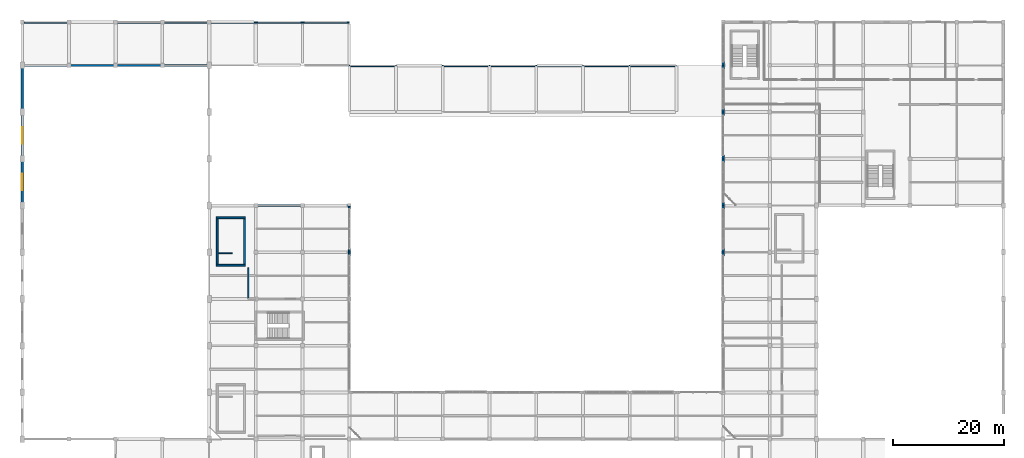
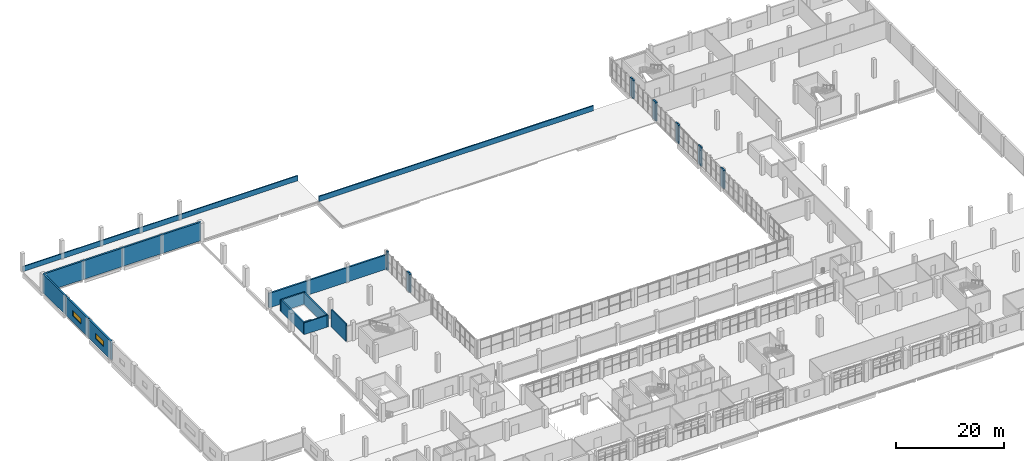
# One storey, part 51 of 59: 29 walls, 2 windows, 2 openings.
"""IFC4 building model written with IfcOpenShell, lengths in metres."""

from ifc_helpers import new_model, si_unit, derived_unit, direction, frame, frame_2d, origin, place, context, subcontext, project, spatial, rectangle, extrude, material, layer, layer_set, type_object, element, fill, save


model = new_model("IFC4")

# Units and contexts
model_context = context("Model", 3, precision=1e-05, world=origin(), true_north=direction((0.0, 1.0)))
body_context = subcontext(model_context, "Body", "Model", "MODEL_VIEW")
ifc_project = project(units=[si_unit("LENGTHUNIT", "METRE"), si_unit("AREAUNIT", "SQUARE_METRE"), si_unit("VOLUMEUNIT", "CUBIC_METRE"), si_unit("PLANEANGLEUNIT", "RADIAN"), si_unit("MASSUNIT", "GRAM", prefix="KILO"), derived_unit("THERMALTRANSMITTANCEUNIT", [(si_unit("POWERUNIT", "WATT"), 1), (si_unit("LENGTHUNIT", "METRE"), -2), (si_unit("THERMODYNAMICTEMPERATUREUNIT", "KELVIN"), -1)])], contexts=[model_context])

# Site, building, storey
site_placement = place(None, origin())
site = spatial("IfcSite", under=ifc_project, at=site_placement, CompositionType="ELEMENT")
building_placement = place(site_placement, origin())
building = spatial("IfcBuilding", under=site, at=building_placement, Name="Barrovel Congress Hotel", CompositionType="ELEMENT")
storey_placement = place(building_placement, frame((0.0, 0.0, 9.89990234375)))
storey = spatial("IfcBuildingStorey", under=building, at=storey_placement, Name="L02", CompositionType="ELEMENT", Elevation=9.89990234375)

# Walls
ifc_material_1 = material(Name="Fired Clay Brick Masonry", Category="masonry")
ifc_layer_1 = layer(ifc_material_1, 0.340087890625)
ifc_layer_set_1 = layer_set([ifc_layer_1], Name="Fired Clay Brick Masonry")
wall_type_1 = type_object("IfcWallType", Name="EW-BRK340", PredefinedType="STANDARD", material=ifc_layer_set_1)
wall_1_placement = place(storey_placement, frame((58.800048828125, 70.800048828125, 0.0), z_axis=(0.0, 0.0, 1.0), x_axis=(0.0, 1.0, 0.0)))
element("IfcWall", 1, at=wall_1_placement, inside=storey, type_object=wall_type_1, Name="EW:L02:CWJ-B:63.0", PredefinedType="STANDARD", context=body_context, shape_type="SweptSolid", body=[
    extrude(rectangle(XDim=0.599853515625, YDim=0.340087890625, at=frame_2d((0.2998046875, 0.0))), origin(), (0.0, 0.0, 1.0), 4.2001953125),
])
wall_2_placement = place(storey_placement, frame((58.800048828125, 71.39990234375, 0.0), z_axis=(0.0, 0.0, 1.0), x_axis=(0.0, 1.0, 0.0)))
element("IfcWall", 2, at=wall_2_placement, inside=storey, type_object=wall_type_1, Name="EW:L02:CWJ-A:71.4", PredefinedType="STANDARD", context=body_context, shape_type="SweptSolid", body=[
    extrude(rectangle(XDim=0.60009765625, YDim=0.340087890625, at=frame_2d((0.300048828125, 0.0))), origin(), (0.0, 0.0, 1.0), 4.2001953125),
])
wall_3_placement = place(storey_placement, frame((58.800048828125, 79.199951171875, 0.0), z_axis=(0.0, 0.0, 1.0), x_axis=(0.0, 1.0, 0.0)))
element("IfcWall", 3, at=wall_3_placement, inside=storey, type_object=wall_type_1, Name="EW:L02:CWJ-B:71.4", PredefinedType="STANDARD", context=body_context, shape_type="SweptSolid", body=[
    extrude(rectangle(XDim=0.429931640625, YDim=0.340087890625, at=frame_2d((0.21484375, 0.0))), origin(), (0.0, 0.0, 1.0), 4.2001953125),
])
wall_4_placement = place(storey_placement, frame((58.800048828125, 79.800048828125, 0.0), z_axis=(0.0, 0.0, 1.0), x_axis=(-1.0, 0.0, 0.0)))
element("IfcWall", 4, at=wall_4_placement, inside=storey, type_object=wall_type_1, Name="EW:L02:FOYN", PredefinedType="STANDARD", context=body_context, shape_type="SweptSolid", body=[
    extrude(rectangle(XDim=25.199951171875, YDim=0.340087890625, at=frame_2d((12.60009765625, 0.0))), origin(), (0.0, 0.0, 1.0), 3.260009765625),
])
wall_5_placement = place(storey_placement, frame((126.0, 71.39990234375, 0.0), z_axis=(0.0, 0.0, 1.0), x_axis=(0.0, -1.0, 0.0)))
element("IfcWall", 5, at=wall_5_placement, inside=storey, type_object=wall_type_1, Name="EW:L02:CEJ-B:63.0", PredefinedType="STANDARD", context=body_context, shape_type="SweptSolid", body=[
    extrude(rectangle(XDim=0.599853515625, YDim=0.340087890625, at=frame_2d((0.2998046875, 0.0))), origin(), (0.0, 0.0, 1.0), 4.2001953125),
])
for number, where, z_axis, x_axis, name in (
    (6, (126.0, 79.800048828125, 0.0), (0.0, 0.0, 1.0), (0.0, -1.0, 0.0), "EW:L02:CEJ-B:71.4"),
    (7, (126.0, 72.0, 0.0), (0.0, 0.0, 1.0), (0.0, -1.0, 0.0), "EW:L02:CEJ-A:71.4"),
):
    element("IfcWall", number, at=place(storey_placement, frame(where, z_axis=z_axis, x_axis=x_axis)), inside=storey, type_object=wall_type_1, Name=name, PredefinedType="STANDARD", context=body_context, shape_type="SweptSolid", body=[
        extrude(rectangle(XDim=0.60009765625, YDim=0.340087890625, at=frame_2d((0.300048828125, 0.0))), origin(), (0.0, 0.0, 1.0), 4.2001953125),
    ])
for number, where, z_axis, x_axis, name in (
    (8, (126.0, 88.199951171875, 0.0), (0.0, 0.0, 1.0), (0.0, -1.0, 0.0), "EW:L02:CEJ-B:79.8"),
    (9, (126.0, 80.39990234375, 0.0), (0.0, 0.0, 1.0), (0.0, -1.0, 0.0), "EW:L02:CEJ-A:79.8"),
):
    element("IfcWall", number, at=place(storey_placement, frame(where, z_axis=z_axis, x_axis=x_axis)), inside=storey, type_object=wall_type_1, Name=name, PredefinedType="STANDARD", context=body_context, shape_type="SweptSolid", body=[
        extrude(rectangle(XDim=0.599853515625, YDim=0.340087890625, at=frame_2d((0.2998046875, 0.0))), origin(), (0.0, 0.0, 1.0), 4.2001953125),
    ])
for number, where, z_axis, x_axis, name in (
    (10, (126.0, 96.60009765625, 0.0), (0.0, 0.0, 1.0), (0.0, -1.0, 0.0), "EW:L02:CEJ-B:88.2"),
    (11, (126.0, 88.800048828125, 0.0), (0.0, 0.0, 1.0), (0.0, -1.0, 0.0), "EW:L02:CEJ-A:88.2"),
    (12, (126.0, 105.0, 0.0), (0.0, 0.0, 1.0), (0.0, -1.0, 0.0), "EW:L02:CEJ-B:96.6"),
):
    element("IfcWall", number, at=place(storey_placement, frame(where, z_axis=z_axis, x_axis=x_axis)), inside=storey, type_object=wall_type_1, Name=name, PredefinedType="STANDARD", context=body_context, shape_type="SweptSolid", body=[
        extrude(rectangle(XDim=0.60009765625, YDim=0.340087890625, at=frame_2d((0.300048828125, 0.0))), origin(), (0.0, 0.0, 1.0), 4.2001953125),
    ])
wall_6_placement = place(storey_placement, frame((126.0, 97.199951171875, 0.0), z_axis=(0.0, 0.0, 1.0), x_axis=(0.0, -1.0, 0.0)))
element("IfcWall", 13, at=wall_6_placement, inside=storey, type_object=wall_type_1, Name="EW:L02:CEJ-A:96.6", PredefinedType="STANDARD", context=body_context, shape_type="SweptSolid", body=[
    extrude(rectangle(XDim=0.599853515625, YDim=0.340087890625, at=frame_2d((0.2998046875, 0.0))), origin(), (0.0, 0.0, 1.0), 4.2001953125),
])
wall_7_placement = place(storey_placement, frame((126.0, 105.60009765625, 0.0), z_axis=(0.0, 0.0, 1.0), x_axis=(0.0, -1.0, 0.0)))
element("IfcWall", 14, at=wall_7_placement, inside=storey, type_object=wall_type_1, Name="EW:L02:CEJ-A:105.0", PredefinedType="STANDARD", context=body_context, shape_type="SweptSolid", body=[
    extrude(rectangle(XDim=0.60009765625, YDim=0.340087890625, at=frame_2d((0.300048828125, 0.0))), origin(), (0.0, 0.0, 1.0), 4.2001953125),
])
ifc_layer_2 = layer(ifc_material_1, 0.3798828125)
ifc_layer_set_2 = layer_set([ifc_layer_2], Name="Fired Clay Brick Masonry")
wall_type_2 = type_object("IfcWallType", Name="EW-BRK380", PredefinedType="STANDARD", material=ifc_layer_set_2)
wall_8_placement = place(storey_placement, frame((33.60009765625, 105.0, 0.0), z_axis=(0.0, 0.0, 1.0), x_axis=(-1.0, 0.0, 0.0)))
element("IfcWall", 15, at=wall_8_placement, inside=storey, type_object=wall_type_2, Name="EW:L02:V1N:3", PredefinedType="STANDARD", context=body_context, shape_type="SweptSolid", body=[
    extrude(rectangle(XDim=8.400146484375, YDim=0.3798828125, at=frame_2d((4.2001953125, 0.0))), origin(), (0.0, 0.0, 1.0), 4.2001953125),
])
wall_9_placement = place(storey_placement, frame((25.199951171875, 105.0, 0.0), z_axis=(0.0, 0.0, 1.0), x_axis=(-1.0, 0.0, 0.0)))
element("IfcWall", 16, at=wall_9_placement, inside=storey, type_object=wall_type_2, Name="EW:L02:V1N:2", PredefinedType="STANDARD", context=body_context, shape_type="SweptSolid", body=[
    extrude(rectangle(XDim=8.39990234375, YDim=0.3798828125, at=frame_2d((4.199951171875, 0.0))), origin(), (0.0, 0.0, 1.0), 4.2001953125),
])
wall_10_placement = place(storey_placement, frame((16.800048828125, 105.0, 0.0), z_axis=(0.0, 0.0, 1.0), x_axis=(-1.0, 0.0, 0.0)))
element("IfcWall", 17, at=wall_10_placement, inside=storey, type_object=wall_type_2, Name="EW:L02:V1N:1", PredefinedType="STANDARD", context=body_context, shape_type="SweptSolid", body=[
    extrude(rectangle(XDim=8.400146484375, YDim=0.3798828125, at=frame_2d((4.2001953125, 0.0))), origin(), (0.0, 0.0, 1.0), 4.2001953125),
])
for number, where, z_axis, x_axis, name in (
    (18, (8.39990234375, 105.0, 0.0), (0.0, 0.0, 1.0), (-1.0, 0.0, 0.0), "EW:L02:V1N:0"),
    (19, (0.0, 105.0, 0.0), (0.0, 0.0, 1.0), (0.0, -1.0, 0.0), "EW:L02:V1W:96.6"),
):
    element("IfcWall", number, at=place(storey_placement, frame(where, z_axis=z_axis, x_axis=x_axis)), inside=storey, type_object=wall_type_2, Name=name, PredefinedType="STANDARD", context=body_context, shape_type="SweptSolid", body=[
        extrude(rectangle(XDim=8.39990234375, YDim=0.3798828125, at=frame_2d((4.199951171875, 0.0))), origin(), (0.0, 0.0, 1.0), 4.2001953125),
    ])

# Wall, opening, window
wall_11_placement = place(storey_placement, frame((0.0, 96.60009765625, 0.0), z_axis=(0.0, 0.0, 1.0), x_axis=(0.0, -1.0, 0.0)))
wall_11 = element("IfcWall", 20, at=wall_11_placement, inside=storey, type_object=wall_type_2, Name="EW:L02:V1W:88.2", PredefinedType="STANDARD", context=body_context, shape_type="SweptSolid", body=[
    extrude(rectangle(XDim=8.400146484375, YDim=0.3798828125, at=frame_2d((4.2001953125, 0.0))), origin(), (0.0, 0.0, 1.0), 4.2001953125),
])
opening_1_placement = place(wall_11_placement, frame((2.699951171875, 0.0, 1.39990234375)))
opening_1 = element("IfcOpeningElement", 21, at=opening_1_placement, cuts=wall_11, Name="Opening WN-16", PredefinedType="OPENING", context=body_context, shape_type="SweptSolid", body=[
    extrude(rectangle(XDim=3.0, YDim=1.199951171875, at=frame_2d((1.5, 0.60009765625))), frame((0.0, 0.199951171875, 0.0), z_axis=(0.0, -1.0, 0.0), x_axis=(1.0, 0.0, 0.0)), (0.0, 0.0, 1.0), 0.39990234375),
])
ifc_material_2 = material(Name="Double Low-E Insulated Glazing", Category="glass")
window_type = type_object("IfcWindowType", Name="WIN-WN-16", PartitioningType="SINGLE_PANEL", PredefinedType="WINDOW", material=ifc_material_2)
window_1_placement = place(opening_1_placement, origin())
window_1 = element("IfcWindow", 22, at=window_1_placement, inside=storey, type_object=window_type, Name="WIN:L02:NAVEW:88.2", OverallHeight=1.199951171875, OverallWidth=3.0, PartitioningType="SINGLE_PANEL", PredefinedType="WINDOW", context=body_context, shape_type="SweptSolid", body=[
    extrude(rectangle(XDim=3.0, YDim=1.199951171875, at=frame_2d((1.5, 0.60009765625))), frame((0.0, 0.030029296875, 0.0), z_axis=(0.0, -1.0, 0.0), x_axis=(1.0, 0.0, 0.0)), (0.0, 0.0, 1.0), 0.06005859375),
])
fill(opening_1, window_1)

wall_12_placement = place(storey_placement, frame((0.0, 88.199951171875, 0.0), z_axis=(0.0, 0.0, 1.0), x_axis=(0.0, -1.0, 0.0)))
wall_12 = element("IfcWall", 23, at=wall_12_placement, inside=storey, type_object=wall_type_2, Name="EW:L02:V1W:79.8", PredefinedType="STANDARD", context=body_context, shape_type="SweptSolid", body=[
    extrude(rectangle(XDim=8.39990234375, YDim=0.3798828125, at=frame_2d((4.199951171875, 0.0))), origin(), (0.0, 0.0, 1.0), 4.2001953125),
])
opening_2_placement = place(wall_12_placement, frame((2.699951171875, 0.0, 1.39990234375)))
opening_2 = element("IfcOpeningElement", 24, at=opening_2_placement, cuts=wall_12, Name="Opening WN-16", PredefinedType="OPENING", context=body_context, shape_type="SweptSolid", body=[
    extrude(rectangle(XDim=3.0, YDim=1.199951171875, at=frame_2d((1.5, 0.60009765625))), frame((0.0, 0.199951171875, 0.0), z_axis=(0.0, -1.0, 0.0), x_axis=(1.0, 0.0, 0.0)), (0.0, 0.0, 1.0), 0.39990234375),
])
window_2_placement = place(opening_2_placement, origin())
window_2 = element("IfcWindow", 25, at=window_2_placement, inside=storey, type_object=window_type, Name="WIN:L02:NAVEW:79.8", OverallHeight=1.199951171875, OverallWidth=3.0, PartitioningType="SINGLE_PANEL", PredefinedType="WINDOW", context=body_context, shape_type="SweptSolid", body=[
    extrude(rectangle(XDim=3.0, YDim=1.199951171875, at=frame_2d((1.5, 0.60009765625))), frame((0.0, 0.030029296875, 0.0), z_axis=(0.0, -1.0, 0.0), x_axis=(1.0, 0.0, 0.0)), (0.0, 0.0, 1.0), 0.06005859375),
])
fill(opening_2, window_2)

# Walls
ifc_layer_3 = layer(ifc_material_1, 0.219970703125)
ifc_layer_set_3 = layer_set([ifc_layer_3], Name="Fired Clay Brick Masonry")
wall_type_3 = type_object("IfcWallType", Name="EW-PAR220", PredefinedType="PARAPET", material=ifc_layer_set_3)
wall_13_placement = place(storey_placement, frame((0.0, 112.699951171875, 0.0), z_axis=(0.0, 0.0, 1.0), x_axis=(1.0, 0.0, 0.0)))
element("IfcWall", 26, at=wall_13_placement, inside=storey, type_object=wall_type_3, Name="PAR:L02:01", PredefinedType="PARAPET", context=body_context, shape_type="SweptSolid", body=[
    extrude(rectangle(XDim=58.800048828125, YDim=0.219970703125, at=frame_2d((29.39990234375, 0.0))), origin(), (0.0, 0.0, 1.0), 1.150146484375),
])
wall_14_placement = place(storey_placement, frame((35.219970703125, 71.219970703125, 0.0), z_axis=(0.0, 0.0, 1.0), x_axis=(1.0, 0.0, 0.0)))
element("IfcWall", 27, at=wall_14_placement, inside=storey, type_object=wall_type_3, Name="STAIR:XS-07:TOP-GR", PredefinedType="PARAPET", context=body_context, shape_type="SweptSolid", body=[
    extrude(rectangle(XDim=2.56005859375, YDim=0.219970703125, at=frame_2d((1.280029296875, 0.0))), origin(), (0.0, 0.0, 1.0), 1.14013671875),
])
ifc_layer_4 = layer(ifc_material_1, 0.260009765625)
ifc_layer_set_4 = layer_set([ifc_layer_4], Name="Fired Clay Brick Masonry")
wall_type_4 = type_object("IfcWallType", Name="EW-PAR260", PredefinedType="PARAPET", material=ifc_layer_set_4)
wall_15_placement = place(storey_placement, frame((58.800048828125, 104.89990234375, 0.0), z_axis=(0.0, 0.0, 1.0), x_axis=(1.0, 0.0, 0.0)))
element("IfcWall", 28, at=wall_15_placement, inside=storey, type_object=wall_type_4, Name="PAR:L02:02", PredefinedType="PARAPET", context=body_context, shape_type="SweptSolid", body=[
    extrude(rectangle(XDim=58.800048828125, YDim=0.260009765625, at=frame_2d((29.39990234375, 0.0))), origin(), (0.0, 0.0, 1.0), 1.150146484375),
])
ifc_layer_5 = layer(ifc_material_1, 0.239990234375)
ifc_layer_set_5 = layer_set([ifc_layer_5], Name="Fired Clay Brick Masonry")
wall_type_5 = type_object("IfcWallType", Name="PW-MAS-240", PredefinedType="PARTITIONING", material=ifc_layer_set_5)
wall_16_placement = place(storey_placement, frame((40.6201171875, 63.139892578125, 0.0), z_axis=(0.0, 0.0, 1.0), x_axis=(0.0, 1.0, 0.0)))
element("IfcWall", 29, at=wall_16_placement, inside=storey, type_object=wall_type_5, Name="RW:SP:L02:TRANS:W", PredefinedType="PARTITIONING", context=body_context, shape_type="SweptSolid", body=[
    extrude(rectangle(XDim=5.440185546875, YDim=0.239990234375, at=frame_2d((2.72021484375, 0.0))), origin(), (0.0, 0.0, 1.0), 3.955078125),
])
ifc_material_3 = material(Name="Concrete C40", Category="concrete")
ifc_layer_6 = layer(ifc_material_3, 0.300048828125)
ifc_layer_set_6 = layer_set([ifc_layer_6], Name="Concrete C40")
wall_type_6 = type_object("IfcWallType", Name="SW-C40-300", PredefinedType="SHEAR", material=ifc_layer_set_6)
wall_17_placement = place(storey_placement, frame((34.89990234375, 69.050048828125, 0.0), z_axis=(0.0, 0.0, 1.0), x_axis=(1.0, 0.0, 0.0)))
element("IfcWall", 30, at=wall_17_placement, inside=storey, type_object=wall_type_6, Name="SHW:XS-07:L02:S", PredefinedType="SHEAR", context=body_context, shape_type="SweptSolid", body=[
    extrude(rectangle(XDim=5.2001953125, YDim=0.300048828125, at=frame_2d((2.60009765625, 0.0))), origin(), (0.0, 0.0, 1.0), 2.650146484375),
])
wall_18_placement = place(storey_placement, frame((39.949951171875, 68.89990234375, 0.0), z_axis=(0.0, 0.0, 1.0), x_axis=(0.0, 1.0, 0.0)))
element("IfcWall", 31, at=wall_18_placement, inside=storey, type_object=wall_type_6, Name="SHW:XS-07:L02:E", PredefinedType="SHEAR", context=body_context, shape_type="SweptSolid", body=[
    extrude(rectangle(XDim=8.840087890625, YDim=0.300048828125, at=frame_2d((4.419921875, 0.0))), origin(), (0.0, 0.0, 1.0), 2.650146484375),
])
wall_19_placement = place(storey_placement, frame((40.10009765625, 77.590087890625, 0.0), z_axis=(0.0, 0.0, 1.0), x_axis=(-1.0, 0.0, 0.0)))
element("IfcWall", 32, at=wall_19_placement, inside=storey, type_object=wall_type_6, Name="SHW:XS-07:L02:N", PredefinedType="SHEAR", context=body_context, shape_type="SweptSolid", body=[
    extrude(rectangle(XDim=5.2001953125, YDim=0.300048828125, at=frame_2d((2.60009765625, 0.0))), origin(), (0.0, 0.0, 1.0), 2.650146484375),
])
wall_20_placement = place(storey_placement, frame((35.050048828125, 77.739990234375, 0.0), z_axis=(0.0, 0.0, 1.0), x_axis=(0.0, -1.0, 0.0)))
element("IfcWall", 33, at=wall_20_placement, inside=storey, type_object=wall_type_6, Name="SHW:XS-07:L02:W", PredefinedType="SHEAR", context=body_context, shape_type="SweptSolid", body=[
    extrude(rectangle(XDim=8.840087890625, YDim=0.300048828125, at=frame_2d((4.419921875, 0.0))), origin(), (0.0, 0.0, 1.0), 2.650146484375),
])

save(model, "model.ifc")
